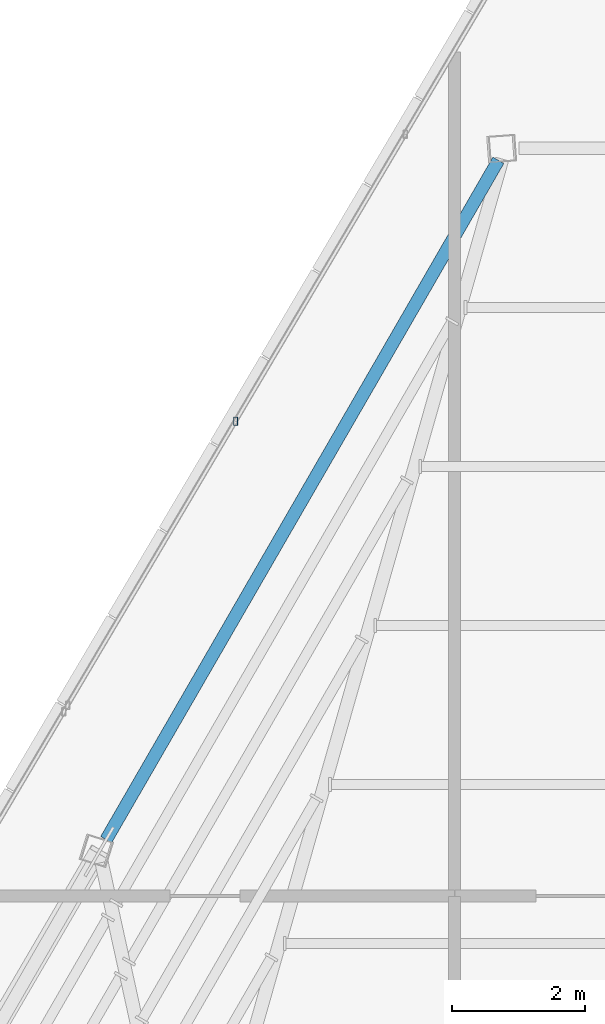
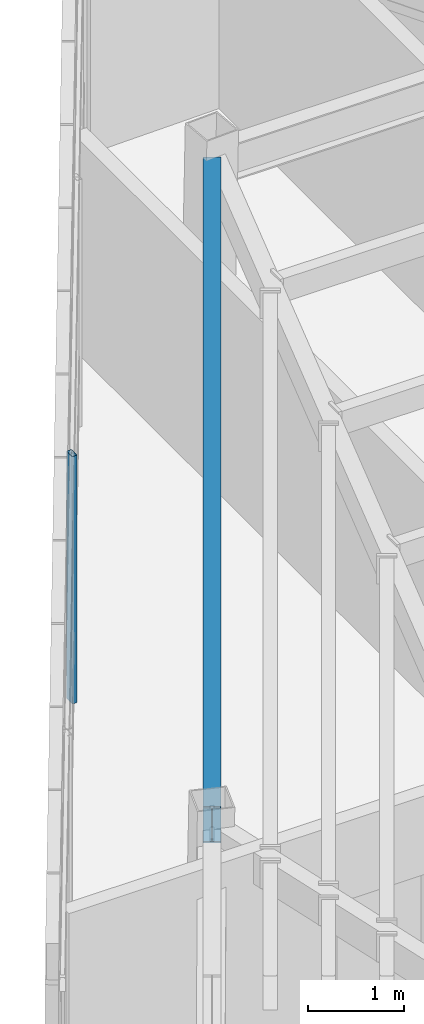
# One storey, part 32 of 48: 1 beam, 1 member, 1 element without a shape of its own.
"""IFC4 building model written with IfcOpenShell, lengths in metres."""

from ifc_helpers import new_model, si_unit, direction, frame, origin, origin_2d, place, context, subcontext, project, spatial, hollow_rectangle, i_section, extrude, source, transform, mapped, material, material_profile, profile_set, type_object, type_shapes, element, aggregate, save


model = new_model("IFC4")

# Units and contexts
model_context = context("Model", 3, precision=1e-05, world=origin(), true_north=direction((0.0, 1.0)))
body_context = subcontext(model_context, "Body", "Model", "MODEL_VIEW")
ifc_project = project(units=[si_unit("LENGTHUNIT", "METRE"), si_unit("AREAUNIT", "SQUARE_METRE"), si_unit("VOLUMEUNIT", "CUBIC_METRE"), si_unit("PLANEANGLEUNIT", "RADIAN"), si_unit("MASSUNIT", "GRAM", prefix="KILO")], contexts=[model_context])

# Site, building, storey
site_placement = place(None, origin())
site = spatial("IfcSite", under=ifc_project, at=site_placement, CompositionType="ELEMENT")
building_placement = place(site_placement, origin())
building = spatial("IfcBuilding", under=site, at=building_placement, Name="Caelisora Broadcast Tower", CompositionType="ELEMENT")
storey_placement = place(building_placement, frame((0.0, 0.0, 300.0)))
storey = spatial("IfcBuildingStorey", under=building, at=storey_placement, Name="L79", CompositionType="ELEMENT", Elevation=300.0)

# Beam
ifc_material_1 = material(Name="Steel Grade 350 (AS/NZS 3679.1)", Category="steel")
ifc_material_profile_1 = material_profile(ifc_material_1, i_section(OverallWidth=0.19091796875, OverallDepth=0.46044921875, WebThickness=0.010009765625, FlangeThickness=0.01611328125, at=origin_2d()), Name="Steel Grade 350 (AS/NZS 3679.1)")
ifc_profile_set_1 = profile_set([ifc_material_profile_1], Name="Steel Grade 350 (AS/NZS 3679.1)")
beam_type = type_object("IfcBeamType", Name="PG06", PredefinedType="BEAM", material=ifc_profile_set_1)
shared_shape_1 = source(origin(), body_context, "Body", "SweptSolid", [
    extrude(i_section(OverallWidth=0.19091796875, OverallDepth=0.46044921875, WebThickness=0.010009765625, FlangeThickness=0.01611328125, at=origin_2d()), origin(), (0.0, 0.0, 1.0), 11.8095703125),
])
type_shapes(beam_type, [shared_shape_1])
beam_placement = place(storey_placement, frame((35.1572265625, 46.576171875, 2.919921875), z_axis=(-0.50000340912, -0.866023435519, 0.0), x_axis=(0.866023435519, -0.50000340912, 0.0)))
element("IfcBeam", 1, at=beam_placement, inside=storey, type_object=beam_type, Name="L79 beam PG06", PredefinedType="BEAM", context=body_context, shape_type="MappedRepresentation", body=[
    mapped(shared_shape_1, transform((0.0, 0.0, 0.0), scale=1.0)),
])

# Curtain wall, member
ifc_material_2 = material(Name="Unitised Aluminium Insulated Shadow-Box Spandrel Curtain Wall", Category="aluminium")
curtain_wall_type = type_object("IfcCurtainWallType", Name="CW-SP3", PredefinedType="NOTDEFINED", material=ifc_material_2)
curtain_wall_placement = place(storey_placement, origin())
curtain_wall = element("IfcCurtainWall", 2, at=curtain_wall_placement, inside=storey, type_object=curtain_wall_type, Name="L79 curtain wall CW-SP3", PredefinedType="NOTDEFINED")
ifc_material_3 = material(Name="Aluminium 6063-T6 Anodised Terracotta Bronze", Category="aluminium")
ifc_material_profile_2 = material_profile(ifc_material_3, hollow_rectangle(XDim=0.06005859375, YDim=0.1201171875, WallThickness=0.0029296875, at=origin_2d()), Name="Aluminium 6063-T6 Anodised Terracotta Bronze")
ifc_profile_set_2 = profile_set([ifc_material_profile_2], Name="Aluminium 6063-T6 Anodised Terracotta Bronze")
member_type = type_object("IfcMemberType", Name="CWM-04", PredefinedType="MULLION", material=ifc_profile_set_2)
shared_shape_2 = source(origin(), body_context, "Body", "SweptSolid", [
    extrude(hollow_rectangle(XDim=0.06005859375, YDim=0.1201171875, WallThickness=0.0029296875, at=origin_2d()), origin(), (0.0, 0.0, 1.0), 3.14990234375),
])
type_shapes(member_type, [shared_shape_2])
member_placement = place(storey_placement, frame((31.202392578125, 42.648193359375, 0.0), z_axis=(0.0, 0.0, 1.0), x_axis=(1.0, 0.0, 0.0)))
member = element("IfcMember", 3, at=member_placement, type_object=member_type, Name="L79-CW-B11 mullion #1", PredefinedType="MULLION", context=body_context, shape_type="MappedRepresentation", body=[
    mapped(shared_shape_2, transform((0.0, 0.0, 0.0), scale=1.0)),
])
aggregate(curtain_wall, [member])

save(model, "model.ifc")
